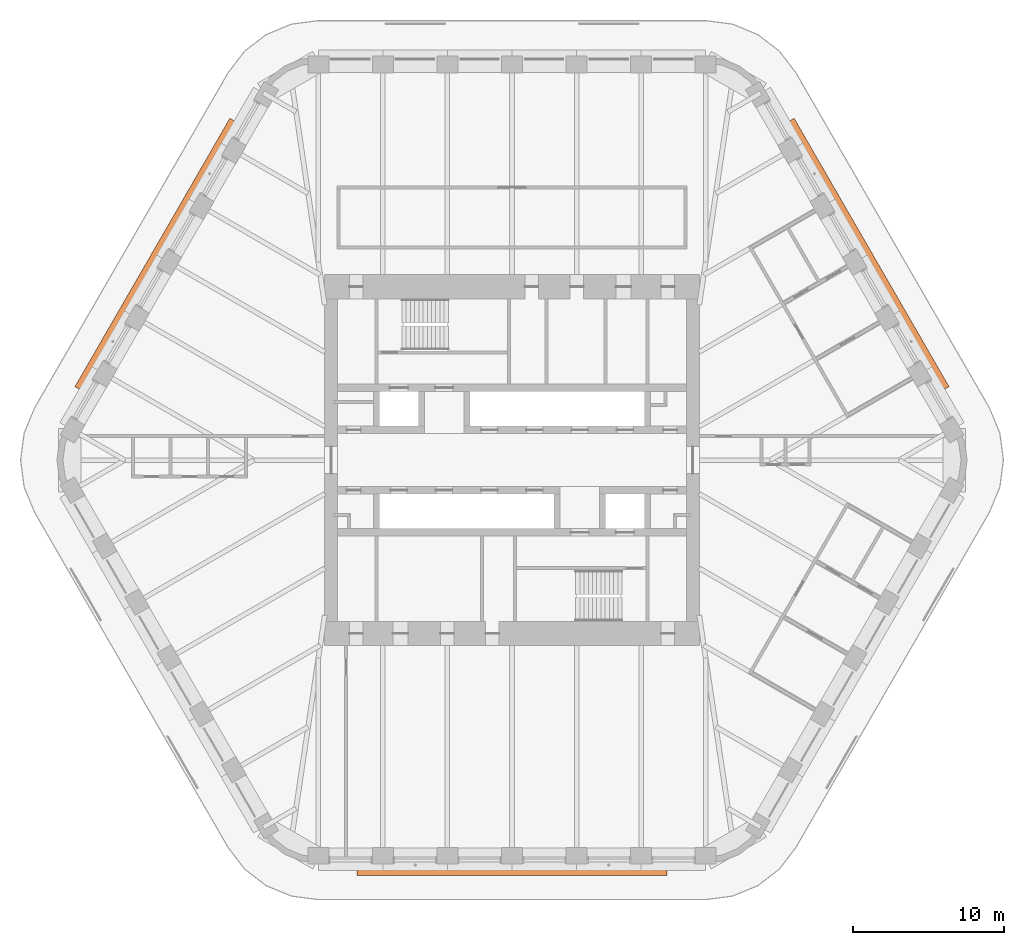
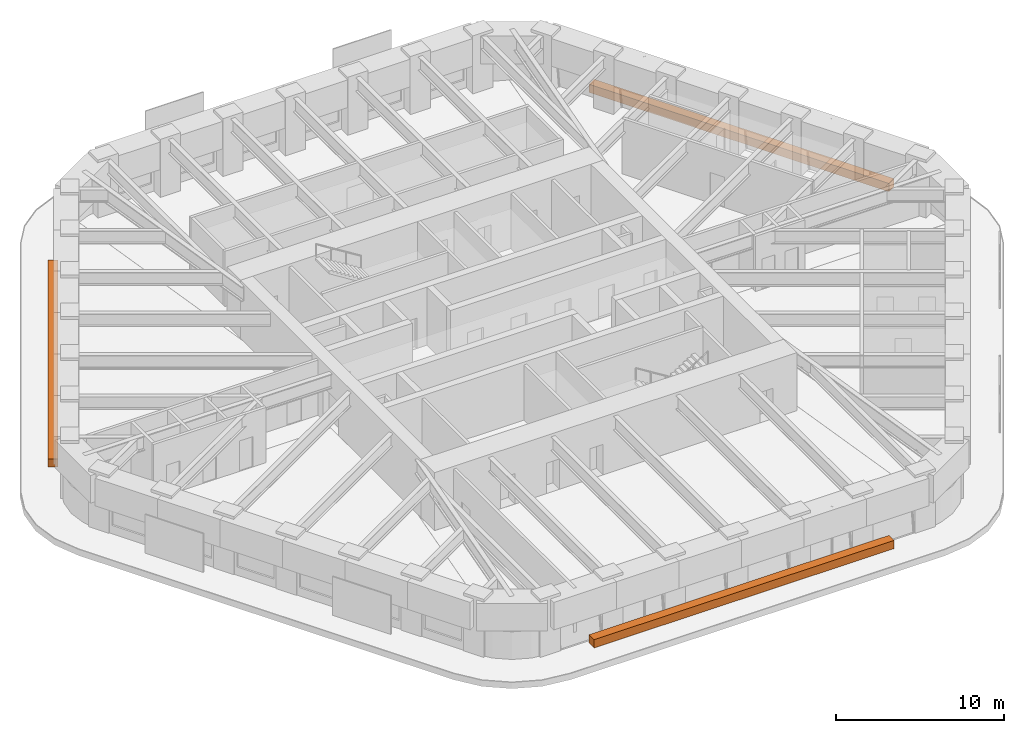
# One storey, part 18 of 18: 3 proxies.
"""IFC4 building model written with IfcOpenShell, lengths in metres."""

from ifc_helpers import new_model, si_unit, direction, frame, origin, origin_2d, place, context, subcontext, project, spatial, rectangle, extrude, material, element, save


model = new_model("IFC4")

# Units and contexts
model_context = context("Model", 3, precision=1e-05, world=origin(), true_north=direction((0.0, 1.0)))
body_context = subcontext(model_context, "Body", "Model", "MODEL_VIEW")
ifc_project = project(units=[si_unit("LENGTHUNIT", "METRE"), si_unit("AREAUNIT", "SQUARE_METRE"), si_unit("VOLUMEUNIT", "CUBIC_METRE"), si_unit("PLANEANGLEUNIT", "RADIAN"), si_unit("MASSUNIT", "GRAM", prefix="KILO")], contexts=[model_context])

# Site, building, storey
site_placement = place(None, origin())
site = spatial("IfcSite", under=ifc_project, at=site_placement, CompositionType="ELEMENT")
building_placement = place(site_placement, origin())
building = spatial("IfcBuilding", under=site, at=building_placement, Name="Tarfa Lantern Tower", CompositionType="ELEMENT")
storey_placement = place(building_placement, frame((0.0, 0.0, 315.699951171875)))
storey = spatial("IfcBuildingStorey", under=building, at=storey_placement, Name="L71", CompositionType="ELEMENT", Elevation=315.699951171875)

# Proxies
ifc_material = material(Name="Planting bed")
for number, where, z_axis, x_axis, name in (
    (1, (23.59912109375, 13.625, 0.0), (0.0, 0.0, 1.0), (-0.5, 0.866025403784, 0.0), "Ledge planter"),
    (2, (-23.59912109375, 13.625, 0.0), (0.0, 0.0, 1.0), (-0.5, -0.866025403784, 0.0), "Ledge planter"),
    (3, (0.0, -27.25, 0.0), (0.0, 0.0, 1.0), (1.0, 0.0, 0.0), "Ledge planter"),
):
    element("IfcBuildingElementProxy", number, at=place(storey_placement, frame(where, z_axis=z_axis, x_axis=x_axis)), inside=storey, material=ifc_material, Name=name, ObjectType="PLANTER", PredefinedType="USERDEFINED", context=body_context, shape_type="SweptSolid", body=[
        extrude(rectangle(XDim=20.5537109375, YDim=0.60009765625, at=origin_2d()), origin(), (0.0, 0.0, 1.0), 0.60009765625),
    ])

save(model, "model.ifc")
